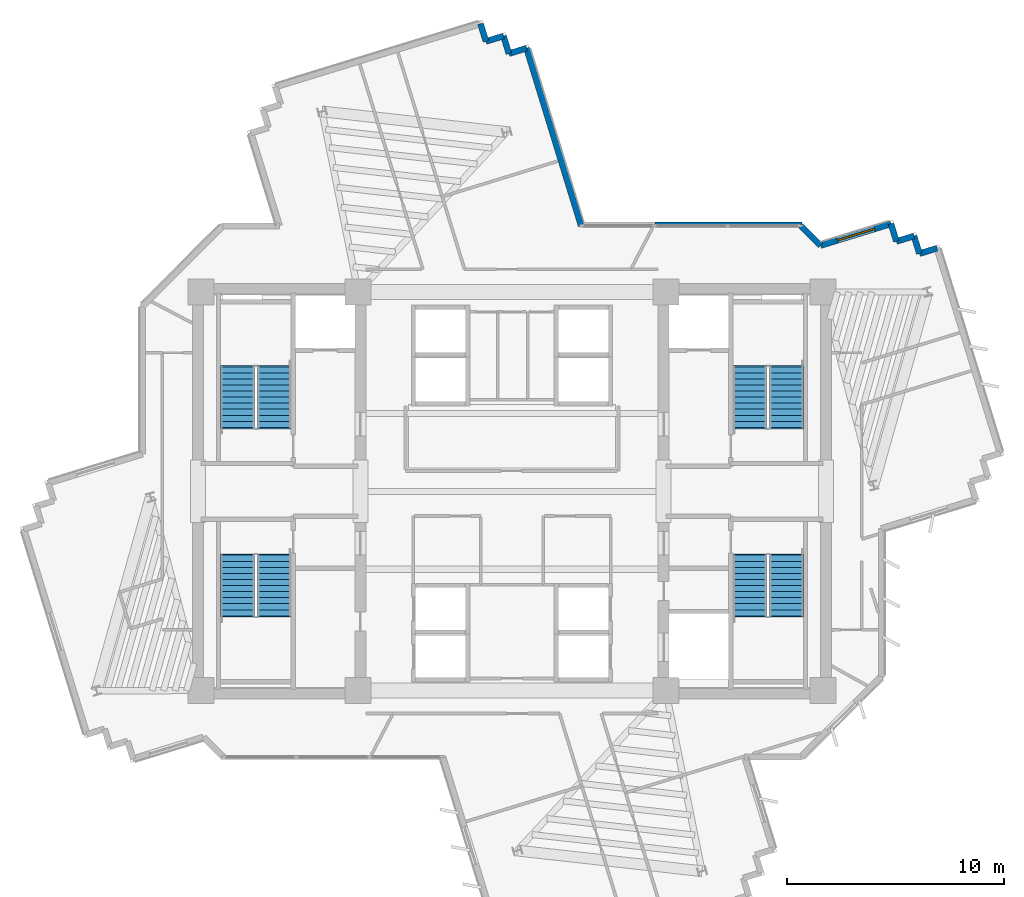
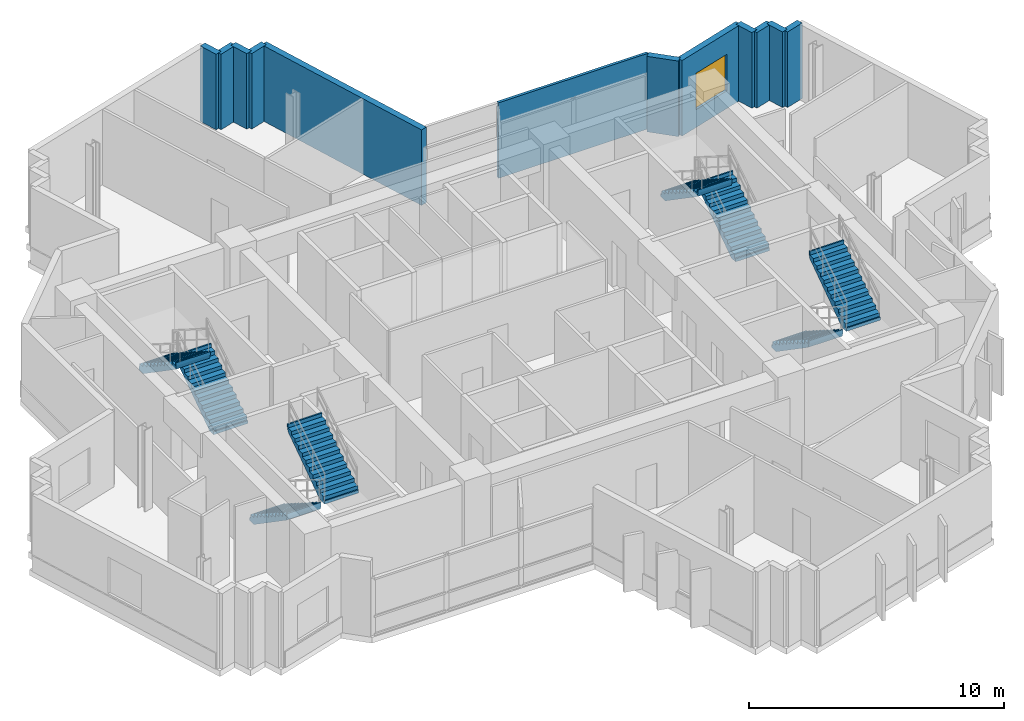
# One storey, part 9 of 13: 12 walls, 8 stair flights, 1 window, 1 opening, 4 elements without a shape of their own.
"""IFC4 building model written with IfcOpenShell, lengths in metres."""

from ifc_helpers import new_model, si_unit, direction, frame, frame_2d, origin, place, context, subcontext, project, spatial, polyline, rectangle, outline, extrude, source, transform, mapped, material, layer, layer_set, type_object, element, fill, aggregate, save


model = new_model("IFC4")

# Units and contexts
model_context = context("Model", 3, precision=1e-05, world=origin(), true_north=direction((0.0, 1.0)))
body_context = subcontext(model_context, "Body", "Model", "MODEL_VIEW")
ifc_project = project(units=[si_unit("LENGTHUNIT", "METRE"), si_unit("AREAUNIT", "SQUARE_METRE"), si_unit("VOLUMEUNIT", "CUBIC_METRE"), si_unit("PLANEANGLEUNIT", "RADIAN"), si_unit("MASSUNIT", "GRAM", prefix="KILO")], contexts=[model_context])

# Site, building, storey
site_placement = place(None, origin())
site = spatial("IfcSite", under=ifc_project, at=site_placement, CompositionType="ELEMENT")
building_placement = place(site_placement, origin())
building = spatial("IfcBuilding", under=site, at=building_placement, Name="Zahravan Cultural Tower", CompositionType="ELEMENT")
storey_placement = place(building_placement, frame((0.0, 0.0, 213.60009765625)))
storey = spatial("IfcBuildingStorey", under=building, at=storey_placement, Name="L50", CompositionType="ELEMENT", Elevation=213.60009765625)

# Wall, opening, window
ifc_material_1 = material(Name="Precast concrete C40/50", Category="concrete")
ifc_layer_1 = layer(ifc_material_1, 0.280029296875)
ifc_layer_set_1 = layer_set([ifc_layer_1], Name="Precast concrete C40/50")
wall_type_1 = type_object("IfcWallType", Name="EW-TC-280", PredefinedType="SOLIDWALL", material=ifc_layer_set_1)
wall_1_placement = place(storey_placement, frame((50.25, 38.351806640625, 0.0), z_axis=(0.0, 0.0, 1.0), x_axis=(0.955782111839, 0.294075763519, 0.0)))
wall_1 = element("IfcWall", 1, at=wall_1_placement, inside=storey, type_object=wall_type_1, Name="L50 Exterior Masonry Frame Wall 01", PredefinedType="SOLIDWALL", context=body_context, shape_type="SweptSolid", body=[
    extrude(rectangle(XDim=3.402099609375, YDim=0.280029296875, at=frame_2d((1.701171875, 0.0))), origin(), (0.0, 0.0, 1.0), 3.619873046875),
])
opening_placement = place(wall_1_placement, frame((0.801025390625, 0.0, 0.85009765625)))
opening = element("IfcOpeningElement", 2, at=opening_placement, cuts=wall_1, Name="Opening WN-02", PredefinedType="OPENING", context=body_context, shape_type="SweptSolid", body=[
    extrude(rectangle(XDim=1.800048828125, YDim=1.75, at=frame_2d((0.89990234375, 0.875))), frame((0.0, 0.14990234375, 0.0), z_axis=(0.0, -1.0, 0.0), x_axis=(1.0, 0.0, 0.0)), (0.0, 0.0, 1.0), 0.300048828125),
])
ifc_material_2 = material(Name="Low-E solar-control double glazing", Category="glass")
window_type = type_object("IfcWindowType", Name="WN-REC-1800X1750", PartitioningType="DOUBLE_PANEL_VERTICAL", PredefinedType="WINDOW", material=ifc_material_2)
shared_shape_1 = source(origin(), body_context, "Body", "SweptSolid", [
    extrude(rectangle(XDim=1.800048828125, YDim=1.75, at=frame_2d((0.89990234375, 0.875))), frame((0.0, 0.030029296875, 0.0), z_axis=(0.0, -1.0, 0.0), x_axis=(1.0, 0.0, 0.0)), (0.0, 0.0, 1.0), 0.06005859375),
])
window_placement = place(opening_placement, origin())
window = element("IfcWindow", 3, at=window_placement, inside=storey, type_object=window_type, Name="L50 Recessed Solar Window 01", OverallHeight=1.75, OverallWidth=1.800048828125, PartitioningType="DOUBLE_PANEL_VERTICAL", PredefinedType="WINDOW", context=body_context, shape_type="MappedRepresentation", body=[
    mapped(shared_shape_1, transform((0.0, 0.0, 0.0), x_axis=(1.0, 0.0, 0.0), y_axis=(0.0, 1.0, 0.0), z_axis=(0.0, 0.0, 1.0), scale=1.0)),
])
fill(opening, window)

# Walls
shared_shape_2 = source(origin(), body_context, "Body", "SweptSolid", [
    extrude(rectangle(XDim=0.85009765625, YDim=0.280029296875, at=frame_2d((0.425048828125, 0.0))), origin(), (0.0, 0.0, 1.0), 3.619873046875),
])
for number, where, z_axis, x_axis, name in (
    (4, (53.501708984375, 39.352294921875, 0.0), (0.0, 0.0, 1.0), (0.293823460726, -0.955859704102, 0.0), "L50 Exterior Masonry Frame Wall 02"),
    (5, (53.75146484375, 38.539794921875, 0.0), (0.0, 0.0, 1.0), (0.955779008722, 0.294085848838, 0.0), "L50 Exterior Masonry Frame Wall 03"),
    (6, (54.56396484375, 38.789794921875, 0.0), (0.0, 0.0, 1.0), (0.294085848838, -0.955779008722, 0.0), "L50 Exterior Masonry Frame Wall 04"),
    (7, (54.81396484375, 37.977294921875, 0.0), (0.0, 0.0, 1.0), (0.955779008722, 0.294085848838, 0.0), "L50 Exterior Masonry Frame Wall 05"),
    (8, (34.54833984375, 48.58740234375, 0.0), (0.0, 0.0, 1.0), (0.293823460726, -0.955859704102, 0.0), "L50 Exterior Masonry Frame Wall 47"),
    (9, (34.798095703125, 47.77490234375, 0.0), (0.0, 0.0, 1.0), (0.955779008722, 0.294085848838, 0.0), "L50 Exterior Masonry Frame Wall 48"),
    (10, (35.610595703125, 48.02490234375, 0.0), (0.0, 0.0, 1.0), (0.294085848838, -0.955779008722, 0.0), "L50 Exterior Masonry Frame Wall 49"),
    (11, (35.860595703125, 47.21240234375, 0.0), (0.0, 0.0, 1.0), (0.955779008722, 0.294085848838, 0.0), "L50 Exterior Masonry Frame Wall 50"),
):
    element("IfcWall", number, at=place(storey_placement, frame(where, z_axis=z_axis, x_axis=x_axis)), inside=storey, type_object=wall_type_1, Name=name, PredefinedType="SOLIDWALL", context=body_context, shape_type="MappedRepresentation", body=[
        mapped(shared_shape_2, transform((0.0, 0.0, 0.0), x_axis=(1.0, 0.0, 0.0), y_axis=(0.0, 1.0, 0.0), z_axis=(0.0, 0.0, 1.0), scale=1.0)),
    ])
shared_shape_3 = source(origin(), body_context, "Body", "SweptSolid", [
    extrude(rectangle(XDim=1.2841796875, YDim=0.280029296875, at=frame_2d((0.64208984375, 0.0))), origin(), (0.0, 0.0, 1.0), 3.619873046875),
])
wall_2_placement = place(storey_placement, frame((49.342041015625, 39.260009765625, 0.0), z_axis=(0.0, 0.0, 1.0), x_axis=(0.707011720788, -0.707201828807, 0.0)))
element("IfcWall", 12, at=wall_2_placement, inside=storey, type_object=wall_type_1, Name="L50 Exterior Masonry Frame Wall 52", PredefinedType="SOLIDWALL", context=body_context, shape_type="MappedRepresentation", body=[
    mapped(shared_shape_3, transform((0.0, 0.0, 0.0), x_axis=(1.0, 0.0, 0.0), y_axis=(0.0, 1.0, 0.0), z_axis=(0.0, 0.0, 1.0), scale=1.0)),
])
shared_shape_4 = source(origin(), body_context, "Body", "SweptSolid", [
    extrude(rectangle(XDim=8.581787109375, YDim=0.280029296875, at=frame_2d((4.291015625, 0.0))), origin(), (0.0, 0.0, 1.0), 3.619873046875),
])
wall_3_placement = place(storey_placement, frame((36.673095703125, 47.46240234375, 0.0), z_axis=(0.0, 0.0, 1.0), x_axis=(0.294019877333, -0.955799305154, 0.0)))
element("IfcWall", 13, at=wall_3_placement, inside=storey, type_object=wall_type_1, Name="L50 Exterior Masonry Frame Wall 51", PredefinedType="SOLIDWALL", context=body_context, shape_type="MappedRepresentation", body=[
    mapped(shared_shape_4, transform((0.0, 0.0, 0.0), x_axis=(1.0, 0.0, 0.0), y_axis=(0.0, 1.0, 0.0), z_axis=(0.0, 0.0, 1.0), scale=1.0)),
])
ifc_material_3 = material(Name="Gypsum plasterboard partition")
ifc_layer_2 = layer(ifc_material_3, 0.125)
ifc_layer_set_2 = layer_set([ifc_layer_2], Name="Gypsum plasterboard partition")
wall_type_2 = type_object("IfcWallType", Name="W-PART-125", PredefinedType="PARTITIONING", material=ifc_layer_set_2)
shared_shape_5 = source(origin(), body_context, "Body", "SweptSolid", [
    extrude(rectangle(XDim=6.7890625, YDim=0.125, at=frame_2d((3.39453125, 0.0))), origin(), (0.0, 0.0, 1.0), 3.619873046875),
])
wall_4_placement = place(storey_placement, frame((42.602783203125, 39.3798828125, 0.0), z_axis=(0.0, 0.0, 1.0), x_axis=(1.0, 0.0, 0.0)))
element("IfcWall", 14, at=wall_4_placement, inside=storey, type_object=wall_type_2, Name="L50 Interior Wall 097", PredefinedType="PARTITIONING", context=body_context, shape_type="MappedRepresentation", body=[
    mapped(shared_shape_5, transform((0.0, 0.0, 0.0), x_axis=(1.0, 0.0, 0.0), y_axis=(0.0, 1.0, 0.0), z_axis=(0.0, 0.0, 1.0), scale=1.0)),
])

# Stair, stair flights
ifc_material_4 = material(Name="Concrete C45/55", Category="concrete")
stair_type = type_object("IfcStairType", Name="STR-DL-1550-390", PredefinedType="HALF_TURN_STAIR", material=ifc_material_4)
stair_1_placement = place(storey_placement, origin())
stair_1 = element("IfcStair", 15, at=stair_1_placement, inside=storey, type_object=stair_type, Name="L50 West Core North Exit Stair ST-W1", PredefinedType="HALF_TURN_STAIR")
stair_flight_type = type_object("IfcStairFlightType", Name="FLG-DL-1550-390", PredefinedType="STRAIGHT", material=ifc_material_4)
stair_flight_1_placement = place(storey_placement, frame((25.02490234375, 29.949951171875, 0.0), z_axis=(0.0, 0.0, 1.0), x_axis=(0.0, 1.0, 0.0)))
stair_flight_1 = element("IfcStairFlight", 16, at=stair_flight_1_placement, type_object=stair_flight_type, Name="ST-W1 flight 1", NumberOfRisers=11, NumberOfTreads=10, PredefinedType="STRAIGHT", RiserHeight=0.177272727, TreadLength=0.28, context=body_context, shape_type="SweptSolid", body=[
    extrude(outline(polyline([(-0.06494140625, -0.139892578125), (-0.06494140625, 0.0), (0.0, 0.0), (0.0, 0.17724609375), (0.280029296875, 0.17724609375), (0.280029296875, 0.3544921875), (0.56005859375, 0.3544921875), (0.56005859375, 0.53173828125), (0.840087890625, 0.53173828125), (0.840087890625, 0.708984375), (1.1201171875, 0.708984375), (1.1201171875, 0.886474609375), (1.39990234375, 0.886474609375), (1.39990234375, 1.063720703125), (1.679931640625, 1.063720703125), (1.679931640625, 1.240966796875), (1.9599609375, 1.240966796875), (1.9599609375, 1.418212890625), (2.239990234375, 1.418212890625), (2.239990234375, 1.595458984375), (2.52001953125, 1.595458984375), (2.52001953125, 1.772705078125), (2.800048828125, 1.772705078125), (2.800048828125, 1.949951171875), (2.864990234375, 1.949951171875), (2.864990234375, 1.800048828125), (2.800048828125, 1.59521484375), (0.2802734375, -0.139892578125), (-0.06494140625, -0.139892578125)])), frame((0.0, 0.77490234375, 0.0), z_axis=(0.0, -1.0, 0.0), x_axis=(1.0, 0.0, 0.0)), (0.0, 0.0, 1.0), 1.550048828125),
])
stair_flight_2_placement = place(storey_placement, frame((23.324951171875, 32.75, 1.949951171875), z_axis=(0.0, 0.0, 1.0), x_axis=(0.0, -1.0, 0.0)))
stair_flight_2 = element("IfcStairFlight", 17, at=stair_flight_2_placement, type_object=stair_flight_type, Name="ST-W1 flight 2", NumberOfRisers=11, NumberOfTreads=10, PredefinedType="STRAIGHT", RiserHeight=0.177272727, TreadLength=0.28, context=body_context, shape_type="SweptSolid", body=[
    extrude(outline(polyline([(-0.06494140625, -0.139892578125), (-0.06494140625, 0.0), (0.0, 0.0), (0.0, 0.17724609375), (0.280029296875, 0.17724609375), (0.280029296875, 0.3544921875), (0.56005859375, 0.3544921875), (0.56005859375, 0.53173828125), (0.840087890625, 0.53173828125), (0.840087890625, 0.708984375), (1.1201171875, 0.708984375), (1.1201171875, 0.886474609375), (1.39990234375, 0.886474609375), (1.39990234375, 1.063720703125), (1.679931640625, 1.063720703125), (1.679931640625, 1.240966796875), (1.9599609375, 1.240966796875), (1.9599609375, 1.418212890625), (2.239990234375, 1.418212890625), (2.239990234375, 1.595458984375), (2.52001953125, 1.595458984375), (2.52001953125, 1.772705078125), (2.800048828125, 1.772705078125), (2.800048828125, 1.949951171875), (2.864990234375, 1.949951171875), (2.864990234375, 1.800048828125), (2.800048828125, 1.59521484375), (0.2802734375, -0.139892578125), (-0.06494140625, -0.139892578125)])), frame((0.0, 0.77490234375, 0.0), z_axis=(0.0, -1.0, 0.0), x_axis=(1.0, 0.0, 0.0)), (0.0, 0.0, 1.0), 1.550048828125),
])
aggregate(stair_1, [stair_flight_1, stair_flight_2])

stair_2_placement = place(storey_placement, origin())
stair_2 = element("IfcStair", 18, at=stair_2_placement, inside=storey, type_object=stair_type, Name="L50 West Core South Exit Stair ST-W2", PredefinedType="HALF_TURN_STAIR")
stair_flight_3_placement = place(storey_placement, frame((23.324951171875, 24.050048828125, 0.0), z_axis=(0.0, 0.0, 1.0), x_axis=(0.0, -1.0, 0.0)))
stair_flight_3 = element("IfcStairFlight", 19, at=stair_flight_3_placement, type_object=stair_flight_type, Name="ST-W2 flight 1", NumberOfRisers=11, NumberOfTreads=10, PredefinedType="STRAIGHT", RiserHeight=0.177272727, TreadLength=0.28, context=body_context, shape_type="SweptSolid", body=[
    extrude(outline(polyline([(-0.06494140625, -0.139892578125), (-0.06494140625, 0.0), (0.0, 0.0), (0.0, 0.17724609375), (0.280029296875, 0.17724609375), (0.280029296875, 0.3544921875), (0.56005859375, 0.3544921875), (0.56005859375, 0.53173828125), (0.840087890625, 0.53173828125), (0.840087890625, 0.708984375), (1.1201171875, 0.708984375), (1.1201171875, 0.886474609375), (1.39990234375, 0.886474609375), (1.39990234375, 1.063720703125), (1.679931640625, 1.063720703125), (1.679931640625, 1.240966796875), (1.9599609375, 1.240966796875), (1.9599609375, 1.418212890625), (2.239990234375, 1.418212890625), (2.239990234375, 1.595458984375), (2.52001953125, 1.595458984375), (2.52001953125, 1.772705078125), (2.800048828125, 1.772705078125), (2.800048828125, 1.949951171875), (2.864990234375, 1.949951171875), (2.864990234375, 1.800048828125), (2.800048828125, 1.59521484375), (0.2802734375, -0.139892578125), (-0.06494140625, -0.139892578125)])), frame((0.0, 0.77490234375, 0.0), z_axis=(0.0, -1.0, 0.0), x_axis=(1.0, 0.0, 0.0)), (0.0, 0.0, 1.0), 1.550048828125),
])
stair_flight_4_placement = place(storey_placement, frame((25.02490234375, 21.25, 1.949951171875), z_axis=(0.0, 0.0, 1.0), x_axis=(0.0, 1.0, 0.0)))
stair_flight_4 = element("IfcStairFlight", 20, at=stair_flight_4_placement, type_object=stair_flight_type, Name="ST-W2 flight 2", NumberOfRisers=11, NumberOfTreads=10, PredefinedType="STRAIGHT", RiserHeight=0.177272727, TreadLength=0.28, context=body_context, shape_type="SweptSolid", body=[
    extrude(outline(polyline([(-0.06494140625, -0.139892578125), (-0.06494140625, 0.0), (0.0, 0.0), (0.0, 0.17724609375), (0.280029296875, 0.17724609375), (0.280029296875, 0.3544921875), (0.56005859375, 0.3544921875), (0.56005859375, 0.53173828125), (0.840087890625, 0.53173828125), (0.840087890625, 0.708984375), (1.1201171875, 0.708984375), (1.1201171875, 0.886474609375), (1.39990234375, 0.886474609375), (1.39990234375, 1.063720703125), (1.679931640625, 1.063720703125), (1.679931640625, 1.240966796875), (1.9599609375, 1.240966796875), (1.9599609375, 1.418212890625), (2.239990234375, 1.418212890625), (2.239990234375, 1.595458984375), (2.52001953125, 1.595458984375), (2.52001953125, 1.772705078125), (2.800048828125, 1.772705078125), (2.800048828125, 1.949951171875), (2.864990234375, 1.949951171875), (2.864990234375, 1.800048828125), (2.800048828125, 1.59521484375), (0.2802734375, -0.139892578125), (-0.06494140625, -0.139892578125)])), frame((0.0, 0.77490234375, 0.0), z_axis=(0.0, -1.0, 0.0), x_axis=(1.0, 0.0, 0.0)), (0.0, 0.0, 1.0), 1.550048828125),
])
aggregate(stair_2, [stair_flight_3, stair_flight_4])

stair_3_placement = place(storey_placement, origin())
stair_3 = element("IfcStair", 21, at=stair_3_placement, inside=storey, type_object=stair_type, Name="L50 East Core North Exit Stair ST-E1", PredefinedType="HALF_TURN_STAIR")
stair_flight_5_placement = place(storey_placement, frame((48.675048828125, 29.949951171875, 0.0), z_axis=(0.0, 0.0, 1.0), x_axis=(0.0, 1.0, 0.0)))
stair_flight_5 = element("IfcStairFlight", 22, at=stair_flight_5_placement, type_object=stair_flight_type, Name="ST-E1 flight 1", NumberOfRisers=11, NumberOfTreads=10, PredefinedType="STRAIGHT", RiserHeight=0.177272727, TreadLength=0.28, context=body_context, shape_type="SweptSolid", body=[
    extrude(outline(polyline([(-0.06494140625, -0.139892578125), (-0.06494140625, 0.0), (0.0, 0.0), (0.0, 0.17724609375), (0.280029296875, 0.17724609375), (0.280029296875, 0.3544921875), (0.56005859375, 0.3544921875), (0.56005859375, 0.53173828125), (0.840087890625, 0.53173828125), (0.840087890625, 0.708984375), (1.1201171875, 0.708984375), (1.1201171875, 0.886474609375), (1.39990234375, 0.886474609375), (1.39990234375, 1.063720703125), (1.679931640625, 1.063720703125), (1.679931640625, 1.240966796875), (1.9599609375, 1.240966796875), (1.9599609375, 1.418212890625), (2.239990234375, 1.418212890625), (2.239990234375, 1.595458984375), (2.52001953125, 1.595458984375), (2.52001953125, 1.772705078125), (2.800048828125, 1.772705078125), (2.800048828125, 1.949951171875), (2.864990234375, 1.949951171875), (2.864990234375, 1.800048828125), (2.800048828125, 1.59521484375), (0.2802734375, -0.139892578125), (-0.06494140625, -0.139892578125)])), frame((0.0, 0.77490234375, 0.0), z_axis=(0.0, -1.0, 0.0), x_axis=(1.0, 0.0, 0.0)), (0.0, 0.0, 1.0), 1.550048828125),
])
stair_flight_6_placement = place(storey_placement, frame((46.97509765625, 32.75, 1.949951171875), z_axis=(0.0, 0.0, 1.0), x_axis=(0.0, -1.0, 0.0)))
stair_flight_6 = element("IfcStairFlight", 23, at=stair_flight_6_placement, type_object=stair_flight_type, Name="ST-E1 flight 2", NumberOfRisers=11, NumberOfTreads=10, PredefinedType="STRAIGHT", RiserHeight=0.177272727, TreadLength=0.28, context=body_context, shape_type="SweptSolid", body=[
    extrude(outline(polyline([(-0.06494140625, -0.139892578125), (-0.06494140625, 0.0), (0.0, 0.0), (0.0, 0.17724609375), (0.280029296875, 0.17724609375), (0.280029296875, 0.3544921875), (0.56005859375, 0.3544921875), (0.56005859375, 0.53173828125), (0.840087890625, 0.53173828125), (0.840087890625, 0.708984375), (1.1201171875, 0.708984375), (1.1201171875, 0.886474609375), (1.39990234375, 0.886474609375), (1.39990234375, 1.063720703125), (1.679931640625, 1.063720703125), (1.679931640625, 1.240966796875), (1.9599609375, 1.240966796875), (1.9599609375, 1.418212890625), (2.239990234375, 1.418212890625), (2.239990234375, 1.595458984375), (2.52001953125, 1.595458984375), (2.52001953125, 1.772705078125), (2.800048828125, 1.772705078125), (2.800048828125, 1.949951171875), (2.864990234375, 1.949951171875), (2.864990234375, 1.800048828125), (2.800048828125, 1.59521484375), (0.2802734375, -0.139892578125), (-0.06494140625, -0.139892578125)])), frame((0.0, 0.77490234375, 0.0), z_axis=(0.0, -1.0, 0.0), x_axis=(1.0, 0.0, 0.0)), (0.0, 0.0, 1.0), 1.550048828125),
])
aggregate(stair_3, [stair_flight_5, stair_flight_6])

stair_4_placement = place(storey_placement, origin())
stair_4 = element("IfcStair", 24, at=stair_4_placement, inside=storey, type_object=stair_type, Name="L50 East Core South Exit Stair ST-E2", PredefinedType="HALF_TURN_STAIR")
stair_flight_7_placement = place(storey_placement, frame((46.97509765625, 24.050048828125, 0.0), z_axis=(0.0, 0.0, 1.0), x_axis=(0.0, -1.0, 0.0)))
stair_flight_7 = element("IfcStairFlight", 25, at=stair_flight_7_placement, type_object=stair_flight_type, Name="ST-E2 flight 1", NumberOfRisers=11, NumberOfTreads=10, PredefinedType="STRAIGHT", RiserHeight=0.177272727, TreadLength=0.28, context=body_context, shape_type="SweptSolid", body=[
    extrude(outline(polyline([(-0.06494140625, -0.139892578125), (-0.06494140625, 0.0), (0.0, 0.0), (0.0, 0.17724609375), (0.280029296875, 0.17724609375), (0.280029296875, 0.3544921875), (0.56005859375, 0.3544921875), (0.56005859375, 0.53173828125), (0.840087890625, 0.53173828125), (0.840087890625, 0.708984375), (1.1201171875, 0.708984375), (1.1201171875, 0.886474609375), (1.39990234375, 0.886474609375), (1.39990234375, 1.063720703125), (1.679931640625, 1.063720703125), (1.679931640625, 1.240966796875), (1.9599609375, 1.240966796875), (1.9599609375, 1.418212890625), (2.239990234375, 1.418212890625), (2.239990234375, 1.595458984375), (2.52001953125, 1.595458984375), (2.52001953125, 1.772705078125), (2.800048828125, 1.772705078125), (2.800048828125, 1.949951171875), (2.864990234375, 1.949951171875), (2.864990234375, 1.800048828125), (2.800048828125, 1.59521484375), (0.2802734375, -0.139892578125), (-0.06494140625, -0.139892578125)])), frame((0.0, 0.77490234375, 0.0), z_axis=(0.0, -1.0, 0.0), x_axis=(1.0, 0.0, 0.0)), (0.0, 0.0, 1.0), 1.550048828125),
])
stair_flight_8_placement = place(storey_placement, frame((48.675048828125, 21.25, 1.949951171875), z_axis=(0.0, 0.0, 1.0), x_axis=(0.0, 1.0, 0.0)))
stair_flight_8 = element("IfcStairFlight", 26, at=stair_flight_8_placement, type_object=stair_flight_type, Name="ST-E2 flight 2", NumberOfRisers=11, NumberOfTreads=10, PredefinedType="STRAIGHT", RiserHeight=0.177272727, TreadLength=0.28, context=body_context, shape_type="SweptSolid", body=[
    extrude(outline(polyline([(-0.06494140625, -0.139892578125), (-0.06494140625, 0.0), (0.0, 0.0), (0.0, 0.17724609375), (0.280029296875, 0.17724609375), (0.280029296875, 0.3544921875), (0.56005859375, 0.3544921875), (0.56005859375, 0.53173828125), (0.840087890625, 0.53173828125), (0.840087890625, 0.708984375), (1.1201171875, 0.708984375), (1.1201171875, 0.886474609375), (1.39990234375, 0.886474609375), (1.39990234375, 1.063720703125), (1.679931640625, 1.063720703125), (1.679931640625, 1.240966796875), (1.9599609375, 1.240966796875), (1.9599609375, 1.418212890625), (2.239990234375, 1.418212890625), (2.239990234375, 1.595458984375), (2.52001953125, 1.595458984375), (2.52001953125, 1.772705078125), (2.800048828125, 1.772705078125), (2.800048828125, 1.949951171875), (2.864990234375, 1.949951171875), (2.864990234375, 1.800048828125), (2.800048828125, 1.59521484375), (0.2802734375, -0.139892578125), (-0.06494140625, -0.139892578125)])), frame((0.0, 0.77490234375, 0.0), z_axis=(0.0, -1.0, 0.0), x_axis=(1.0, 0.0, 0.0)), (0.0, 0.0, 1.0), 1.550048828125),
])
aggregate(stair_4, [stair_flight_7, stair_flight_8])

save(model, "model.ifc")
